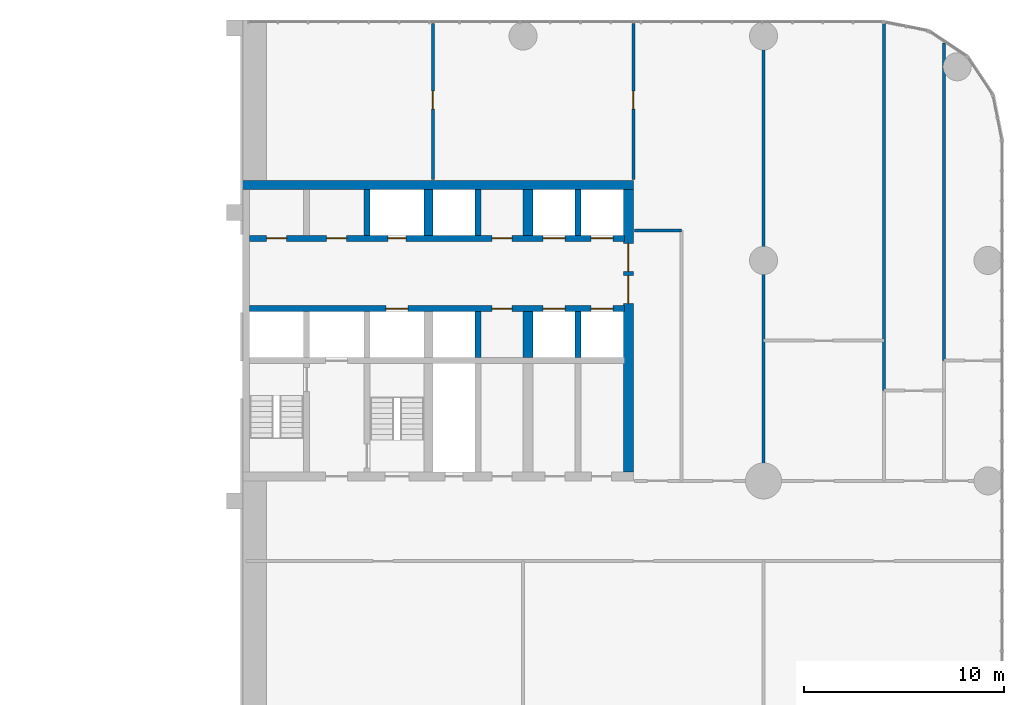
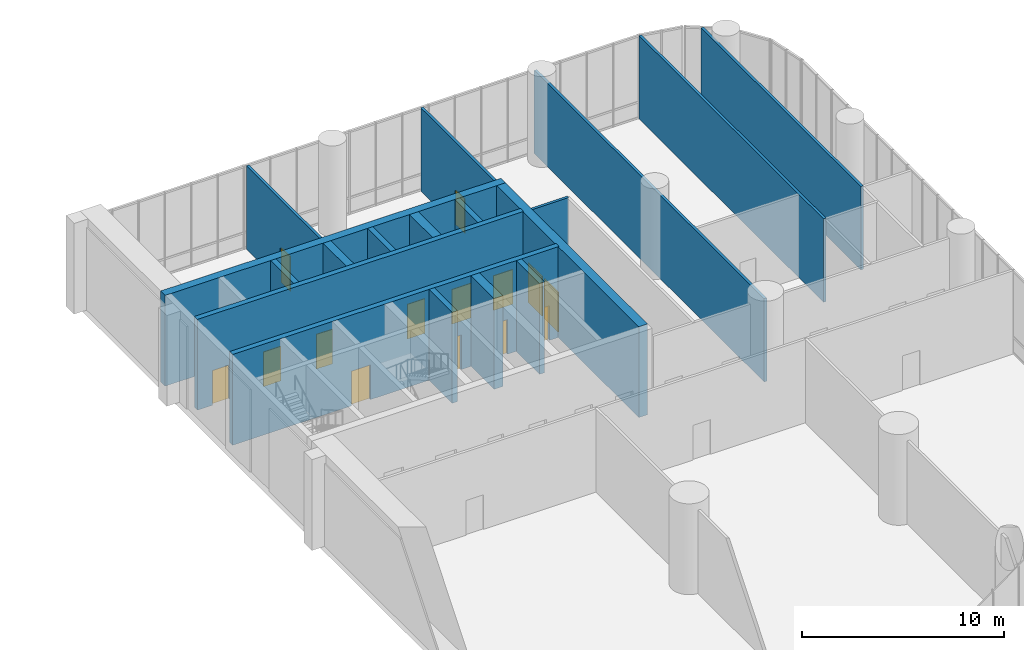
# One storey, part 25 of 28: 18 walls, 14 doors, 14 openings.
"""IFC4 building model written with IfcOpenShell, lengths in metres."""

import ifcopenshell
import ifcopenshell.guid

model = None  # the IFC model being written
_history = None  # IfcOwnerHistory: only IFC2X3 demands one
_inside = {}  # id of a spatial element -> (the spatial element, [elements in it])
_under = {}  # id of a project, library or spatial element -> (it, [spatial elements below it])
_declared = {}  # id of a project -> (the project, [libraries it declares])
_typed = {}  # id of a type object -> (the type object, [elements of that type])
_made_of = {}  # id of a material, layer set ... -> (it, [elements and type objects made of it])


def new_model(schema):
    """Start an empty IFC model of exactly this schema.

    Asked for "IFC4X3", IfcOpenShell would pick the latest addendum, in which some entities
    have other attributes; the version numbers below select the first issue.
    IFC2X3 requires an IfcOwnerHistory on every rooted entity: one is made here for all.
    """
    global model, _history
    if schema == "IFC4X3":
        model = ifcopenshell.file(schema_version=(4, 3, 0, 0))
    else:
        model = ifcopenshell.file(schema=schema)
    _inside.clear()
    _under.clear()
    _declared.clear()
    _typed.clear()
    _made_of.clear()
    _history = None
    if model.schema == "IFC2X3":
        org = make("IfcOrganization", Name="unknown")
        user = make(
            "IfcPersonAndOrganization",
            ThePerson=make("IfcPerson", FamilyName="unknown"),
            TheOrganization=org,
        )
        app = make(
            "IfcApplication",
            ApplicationDeveloper=org,
            Version="unknown",
            ApplicationFullName="unknown",
            ApplicationIdentifier="unknown",
        )
        _history = make(
            "IfcOwnerHistory",
            OwningUser=user,
            OwningApplication=app,
            ChangeAction="ADDED",
            CreationDate=0,
        )
    return model


def make(cls, **values):
    """One entity of the class cls with the attributes given. An attribute that is None is left unset."""
    return model.create_entity(
        cls, **{name: value for name, value in values.items() if value is not None}
    )


def rooted(cls, **values):
    """An entity with a GlobalId (a new one), such as an element, a storey or a relation."""
    return make(cls, GlobalId=ifcopenshell.guid.new(), OwnerHistory=_history, **values)


def si_unit(unit_type, name, prefix=None):
    """IfcSIUnit, for example si_unit("LENGTHUNIT", "METRE", prefix="MILLI")."""
    return make("IfcSIUnit", UnitType=unit_type, Prefix=prefix, Name=name)


def assignment(units):
    """IfcUnitAssignment: the units of a project."""
    return None if units is None else make("IfcUnitAssignment", Units=units)


def point(xyz):
    """IfcCartesianPoint."""
    return None if xyz is None else make("IfcCartesianPoint", Coordinates=xyz)


def direction(xyz):
    """IfcDirection."""
    return None if xyz is None else make("IfcDirection", DirectionRatios=xyz)


def frame(location, z_axis=None, x_axis=None):
    """IfcAxis2Placement3D, a coordinate frame: its origin and axes. An axis left out is left unset."""
    return make(
        "IfcAxis2Placement3D",
        Location=point(location),
        Axis=direction(z_axis),
        RefDirection=direction(x_axis),
    )


def frame_2d(location, x_axis=None):
    """IfcAxis2Placement2D, a coordinate frame in the plane: its origin and x axis."""
    return make(
        "IfcAxis2Placement2D", Location=point(location), RefDirection=direction(x_axis)
    )


def origin():
    """The frame at (0, 0, 0) with its axes left unset."""
    return frame((0.0, 0.0, 0.0))


def place(relative_to, where):
    """IfcLocalPlacement: puts the frame where relative to a parent placement (None: the world)."""
    return make(
        "IfcLocalPlacement", PlacementRelTo=relative_to, RelativePlacement=where
    )


def context(
    kind, dimensions, precision=None, world=None, true_north=None, identifier=None
):
    """IfcGeometricRepresentationContext, for example the 3D "Model" context."""
    return make(
        "IfcGeometricRepresentationContext",
        ContextIdentifier=identifier,
        ContextType=kind,
        CoordinateSpaceDimension=dimensions,
        Precision=precision,
        WorldCoordinateSystem=world,
        TrueNorth=true_north,
    )


def subcontext(parent, identifier, kind, view, scale=None):
    """IfcGeometricRepresentationSubContext, for example "Body" below "Model"."""
    return make(
        "IfcGeometricRepresentationSubContext",
        ContextIdentifier=identifier,
        ContextType=kind,
        ParentContext=parent,
        TargetScale=scale,
        TargetView=view,
    )


def project(units=None, contexts=None):
    """IfcProject with its units and contexts."""
    return rooted(
        "IfcProject",
        Name="project",
        RepresentationContexts=contexts,
        UnitsInContext=assignment(units),
    )


def spatial(cls, under=None, at=None, **own):
    """A site, building, storey or space (cls), placed at a placement, below another one or the project."""
    s = rooted(cls, ObjectPlacement=at, **own)
    if under is not None:
        _under.setdefault(under.id(), (under, []))[1].append(s)
    return s


def profile(cls, at=None, kind="AREA", **sizes):
    """A parametric profile (cls). Its sizes go by their IFC names, for example OverallWidth=200.0."""
    return make(cls, ProfileType=kind, Position=at, **sizes)


def rectangle(**sizes):
    """IfcRectangleProfileDef."""
    return profile("IfcRectangleProfileDef", **sizes)


def extrude(swept, where, along, depth):
    """IfcExtrudedAreaSolid: the profile swept, set in the frame where, extruded along a direction by depth."""
    return make(
        "IfcExtrudedAreaSolid",
        SweptArea=swept,
        Position=where,
        ExtrudedDirection=direction(along),
        Depth=depth,
    )


def shape(context_of_items, identifier, shape_type, items):
    """IfcShapeRepresentation: the items that make up one representation, for example the "Body"."""
    return make(
        "IfcShapeRepresentation",
        ContextOfItems=context_of_items,
        RepresentationIdentifier=identifier,
        RepresentationType=shape_type,
        Items=items,
    )


def material(Name=None, Category=None):
    """IfcMaterial."""
    return make("IfcMaterial", Name=Name, Category=Category)


def layer(
    of_material, thickness, ventilated=None, Name=None, Category=None, Priority=None
):
    """IfcMaterialLayer: one layer of a wall or slab, of a material (None: an air gap)."""
    return make(
        "IfcMaterialLayer",
        Material=of_material,
        LayerThickness=thickness,
        IsVentilated=ventilated,
        Name=Name,
        Category=Category,
        Priority=Priority,
    )


def layer_set(layers, Name=None):
    """IfcMaterialLayerSet."""
    return make("IfcMaterialLayerSet", MaterialLayers=layers, LayerSetName=Name)


def made_of(thing, what):
    """Note that an element or type object is made of a material, layer set ...; save() writes the relation."""
    if what is not None:
        _made_of.setdefault(what.id(), (what, []))[1].append(thing)
    return thing


def type_object(cls, material=None, **own):
    """A type object (cls), such as IfcWallType, which elements share."""
    return made_of(rooted(cls, **own), material)


def element(
    cls,
    number,
    at=None,
    inside=None,
    cuts=None,
    type_object=None,
    material=None,
    context=None,
    identifier="Body",
    shape_type=None,
    held_by="IfcProductDefinitionShape",
    body=None,
    shapes=None,
    **own,
):
    """One element of the class cls, such as IfcWall. Its Tag is "e" and its number.

    at: its placement. inside: the storey or other place that contains it. cuts: it is an
    opening in that element (IfcRelVoidsElement). A single representation is given by context,
    identifier, shape_type and body (its items); several are given by shapes. held_by: the class
    of the entity that holds the representations. save() writes the other relations.
    """
    e = rooted(cls, Tag="e%d" % number, ObjectPlacement=at, **own)
    if body is not None:
        shapes = [shape(context, identifier, shape_type, body)]
    if shapes is not None:
        e.Representation = make(held_by, Representations=shapes)
    if inside is not None:
        _inside.setdefault(inside.id(), (inside, []))[1].append(e)
    if cuts is not None:
        rooted(
            "IfcRelVoidsElement", RelatingBuildingElement=cuts, RelatedOpeningElement=e
        )
    if type_object is not None:
        _typed.setdefault(type_object.id(), (type_object, []))[1].append(e)
    return made_of(e, material)


def fill(opening, filler):
    """IfcRelFillsElement: the door or window that sits in an opening."""
    return rooted(
        "IfcRelFillsElement",
        RelatingOpeningElement=opening,
        RelatedBuildingElement=filler,
    )


def aggregate(whole, parts):
    """IfcRelAggregates: a whole, such as a stair, and the parts it consists of."""
    return rooted("IfcRelAggregates", RelatingObject=whole, RelatedObjects=parts)


def save(model, path):
    """Write the relations noted so far, then the file.

    IfcRelAggregates (storeys below a building ...), IfcRelContainedInSpatialStructure (elements
    in a storey), IfcRelDefinesByType, IfcRelAssociatesMaterial and IfcRelDeclares: one each for
    every whole, place, type object, material and project.
    """
    for whole, parts in _under.values():
        aggregate(whole, parts)
    for where, things in _inside.values():
        rooted(
            "IfcRelContainedInSpatialStructure",
            RelatedElements=things,
            RelatingStructure=where,
        )
    for kind, things in _typed.values():
        rooted("IfcRelDefinesByType", RelatedObjects=things, RelatingType=kind)
    for what, things in _made_of.values():
        rooted("IfcRelAssociatesMaterial", RelatedObjects=things, RelatingMaterial=what)
    for by, libraries in _declared.values():
        rooted("IfcRelDeclares", RelatingContext=by, RelatedDefinitions=libraries)
    model.write(path)


model = new_model("IFC4")

# Units and contexts
model_context = context("Model", 3, precision=1e-05, world=origin(), true_north=direction((0.0, 1.0)))
body_context = subcontext(model_context, "Body", "Model", "MODEL_VIEW")
ifc_project = project(units=[si_unit("LENGTHUNIT", "METRE"), si_unit("AREAUNIT", "SQUARE_METRE"), si_unit("VOLUMEUNIT", "CUBIC_METRE"), si_unit("PLANEANGLEUNIT", "RADIAN"), si_unit("MASSUNIT", "GRAM", prefix="KILO")], contexts=[model_context])

# Site, building, storey
site_placement = place(None, origin())
site = spatial("IfcSite", under=ifc_project, at=site_placement, CompositionType="ELEMENT")
building_placement = place(site_placement, origin())
building = spatial("IfcBuilding", under=site, at=building_placement, Name="Torana Hotel and Residences", CompositionType="ELEMENT")
storey_placement = place(building_placement, frame((0.0, 0.0, 7.0)))
storey = spatial("IfcBuildingStorey", under=building, at=storey_placement, Name="L01", CompositionType="ELEMENT", Elevation=7.0)

# Wall, openings, doors
ifc_material_1 = material(Name="Concrete C80/95", Category="concrete")
ifc_layer_1 = layer(ifc_material_1, 0.300048828125)
ifc_layer_set_1 = layer_set([ifc_layer_1], Name="CORE WALL 300 C80/95")
wall_type_1 = type_object("IfcWallType", Name="CORE WALL 300 C80/95", PredefinedType="SHEAR", material=ifc_layer_set_1)
wall_1_placement = place(storey_placement, frame((10.35009765625, -2.89990234375, 0.0), z_axis=(0.0, 0.0, 1.0), x_axis=(1.0, 0.0, 0.0)))
wall_1 = element("IfcWall", 1, at=wall_1_placement, inside=storey, type_object=wall_type_1, Name="Core wall E row-N", PredefinedType="SHEAR", context=body_context, shape_type="SweptSolid", body=[
    extrude(rectangle(XDim=18.699951171875, YDim=0.300048828125, at=frame_2d((9.35009765625, 0.0))), origin(), (0.0, 0.0, 1.0), 5.5),
])
opening_1_placement = place(wall_1_placement, frame((14.64990234375, 0.0, 0.0)))
opening_1 = element("IfcOpeningElement", 2, at=opening_1_placement, cuts=wall_1, Name="Opening LD", PredefinedType="OPENING", context=body_context, shape_type="SweptSolid", body=[
    extrude(rectangle(XDim=1.10009765625, YDim=2.10009765625, at=frame_2d((0.550048828125, 1.050048828125))), frame((0.0, 0.159912109375, 0.0), z_axis=(0.0, -1.0, 0.0), x_axis=(1.0, 0.0, 0.0)), (0.0, 0.0, 1.0), 0.320068359375),
])
opening_2_placement = place(wall_1_placement, frame((17.050048828125, 0.0, 0.0)))
opening_2 = element("IfcOpeningElement", 3, at=opening_2_placement, cuts=wall_1, Name="Opening LD", PredefinedType="OPENING", context=body_context, shape_type="SweptSolid", body=[
    extrude(rectangle(XDim=1.10009765625, YDim=2.10009765625, at=frame_2d((0.550048828125, 1.050048828125))), frame((0.0, 0.159912109375, 0.0), z_axis=(0.0, -1.0, 0.0), x_axis=(1.0, 0.0, 0.0)), (0.0, 0.0, 1.0), 0.320068359375),
])
opening_3_placement = place(wall_1_placement, frame((6.89990234375, 0.0, 0.0)))
opening_3 = element("IfcOpeningElement", 4, at=opening_3_placement, cuts=wall_1, Name="Opening L01-24", PredefinedType="OPENING", context=body_context, shape_type="SweptSolid", body=[
    extrude(rectangle(XDim=0.89990234375, YDim=2.10009765625, at=frame_2d((0.449951171875, 1.050048828125))), frame((0.0, 0.159912109375, 0.0), z_axis=(0.0, -1.0, 0.0), x_axis=(1.0, 0.0, 0.0)), (0.0, 0.0, 1.0), 0.320068359375),
])
opening_4_placement = place(wall_1_placement, frame((0.85009765625, 0.0, 0.0)))
opening_4 = element("IfcOpeningElement", 5, at=opening_4_placement, cuts=wall_1, Name="Opening L01-25", PredefinedType="OPENING", context=body_context, shape_type="SweptSolid", body=[
    extrude(rectangle(XDim=1.0, YDim=2.10009765625, at=frame_2d((0.5, 1.050048828125))), frame((0.0, 0.159912109375, 0.0), z_axis=(0.0, -1.0, 0.0), x_axis=(1.0, 0.0, 0.0)), (0.0, 0.0, 1.0), 0.320068359375),
])
opening_5_placement = place(wall_1_placement, frame((3.85009765625, 0.0, 0.0)))
opening_5 = element("IfcOpeningElement", 6, at=opening_5_placement, cuts=wall_1, Name="Opening L01-26", PredefinedType="OPENING", context=body_context, shape_type="SweptSolid", body=[
    extrude(rectangle(XDim=1.0, YDim=2.10009765625, at=frame_2d((0.5, 1.050048828125))), frame((0.0, 0.159912109375, 0.0), z_axis=(0.0, -1.0, 0.0), x_axis=(1.0, 0.0, 0.0)), (0.0, 0.0, 1.0), 0.320068359375),
])
opening_6_placement = place(wall_1_placement, frame((12.10009765625, 0.0, 0.0)))
opening_6 = element("IfcOpeningElement", 7, at=opening_6_placement, cuts=wall_1, Name="Opening L01-27", PredefinedType="OPENING", context=body_context, shape_type="SweptSolid", body=[
    extrude(rectangle(XDim=1.0, YDim=2.10009765625, at=frame_2d((0.5, 1.050048828125))), frame((0.0, 0.159912109375, 0.0), z_axis=(0.0, -1.0, 0.0), x_axis=(1.0, 0.0, 0.0)), (0.0, 0.0, 1.0), 0.320068359375),
])
ifc_material_2 = material(Name="Steel S235", Category="steel")
door_type_1 = type_object("IfcDoorType", Name="CORE ROOM FIRE DOOR D14 1000x2100", OperationType="SINGLE_SWING_LEFT", PredefinedType="DOOR", material=ifc_material_2)
door_1_placement = place(opening_4_placement, origin())
door_1 = element("IfcDoor", 8, at=door_1_placement, inside=storey, type_object=door_type_1, Name="N0 door L01", OperationType="SINGLE_SWING_RIGHT", OverallHeight=2.10009765625, OverallWidth=1.0, PredefinedType="DOOR", context=body_context, shape_type="SweptSolid", body=[
    extrude(rectangle(XDim=1.0, YDim=2.10009765625, at=frame_2d((0.5, 1.050048828125))), frame((0.0, 0.02490234375, 0.0), z_axis=(0.0, -1.0, 0.0), x_axis=(1.0, 0.0, 0.0)), (0.0, 0.0, 1.0), 0.050048828125),
])
fill(opening_4, door_1)
door_2_placement = place(opening_5_placement, origin())
door_2 = element("IfcDoor", 9, at=door_2_placement, inside=storey, type_object=door_type_1, Name="N1 door L01", OperationType="SINGLE_SWING_RIGHT", OverallHeight=2.10009765625, OverallWidth=1.0, PredefinedType="DOOR", context=body_context, shape_type="SweptSolid", body=[
    extrude(rectangle(XDim=1.0, YDim=2.10009765625, at=frame_2d((0.5, 1.050048828125))), frame((0.0, 0.02490234375, 0.0), z_axis=(0.0, -1.0, 0.0), x_axis=(1.0, 0.0, 0.0)), (0.0, 0.0, 1.0), 0.050048828125),
])
fill(opening_5, door_2)
door_3_placement = place(opening_6_placement, origin())
door_3 = element("IfcDoor", 10, at=door_3_placement, inside=storey, type_object=door_type_1, Name="Free-M3 door L01", OperationType="SINGLE_SWING_RIGHT", OverallHeight=2.10009765625, OverallWidth=1.0, PredefinedType="DOOR", context=body_context, shape_type="SweptSolid", body=[
    extrude(rectangle(XDim=1.0, YDim=2.10009765625, at=frame_2d((0.5, 1.050048828125))), frame((0.0, 0.02490234375, 0.0), z_axis=(0.0, -1.0, 0.0), x_axis=(1.0, 0.0, 0.0)), (0.0, 0.0, 1.0), 0.050048828125),
])
fill(opening_6, door_3)
ifc_material_3 = material(Name="Stainless steel 316", Category="steel")
door_type_2 = type_object("IfcDoorType", Name="LIFT LANDING DOOR LD 1100x2100", OperationType="DOUBLE_DOOR_SLIDING", PredefinedType="USERDEFINED", material=ifc_material_3)
door_4_placement = place(opening_1_placement, origin())
door_4 = element("IfcDoor", 11, at=door_4_placement, inside=storey, type_object=door_type_2, Name="Lift landing door L5 L01", ObjectType="LIFT LANDING DOOR", OperationType="DOUBLE_DOOR_SLIDING", OverallHeight=2.10009765625, OverallWidth=1.10009765625, PredefinedType="USERDEFINED", context=body_context, shape_type="SweptSolid", body=[
    extrude(rectangle(XDim=1.10009765625, YDim=2.10009765625, at=frame_2d((0.550048828125, 1.050048828125))), frame((0.0, 0.02490234375, 0.0), z_axis=(0.0, -1.0, 0.0), x_axis=(1.0, 0.0, 0.0)), (0.0, 0.0, 1.0), 0.050048828125),
])
fill(opening_1, door_4)
door_5_placement = place(opening_2_placement, origin())
door_5 = element("IfcDoor", 12, at=door_5_placement, inside=storey, type_object=door_type_2, Name="Lift landing door L6 L01", ObjectType="LIFT LANDING DOOR", OperationType="DOUBLE_DOOR_SLIDING", OverallHeight=2.10009765625, OverallWidth=1.10009765625, PredefinedType="USERDEFINED", context=body_context, shape_type="SweptSolid", body=[
    extrude(rectangle(XDim=1.10009765625, YDim=2.10009765625, at=frame_2d((0.550048828125, 1.050048828125))), frame((0.0, 0.02490234375, 0.0), z_axis=(0.0, -1.0, 0.0), x_axis=(1.0, 0.0, 0.0)), (0.0, 0.0, 1.0), 0.050048828125),
])
fill(opening_2, door_5)
ifc_material_4 = material(Name="Steel S235", Category="steel")
door_type_3 = type_object("IfcDoorType", Name="RISER ACCESS DOOR D5 900x2100", OperationType="SINGLE_SWING_LEFT", PredefinedType="DOOR", material=ifc_material_4)
door_6_placement = place(opening_3_placement, origin())
door_6 = element("IfcDoor", 13, at=door_6_placement, inside=storey, type_object=door_type_3, Name="N2 door L01", OperationType="SINGLE_SWING_RIGHT", OverallHeight=2.10009765625, OverallWidth=0.89990234375, PredefinedType="DOOR", context=body_context, shape_type="SweptSolid", body=[
    extrude(rectangle(XDim=0.89990234375, YDim=2.10009765625, at=frame_2d((0.449951171875, 1.050048828125))), frame((0.0, 0.02490234375, 0.0), z_axis=(0.0, -1.0, 0.0), x_axis=(1.0, 0.0, 0.0)), (0.0, 0.0, 1.0), 0.050048828125),
])
fill(opening_3, door_6)

wall_2_placement = place(storey_placement, frame((10.35009765625, -6.39990234375, 0.0), z_axis=(0.0, 0.0, 1.0), x_axis=(1.0, 0.0, 0.0)))
wall_2 = element("IfcWall", 14, at=wall_2_placement, inside=storey, type_object=wall_type_1, Name="Core wall E row-S", PredefinedType="SHEAR", context=body_context, shape_type="SweptSolid", body=[
    extrude(rectangle(XDim=18.699951171875, YDim=0.300048828125, at=frame_2d((9.35009765625, 0.0))), origin(), (0.0, 0.0, 1.0), 5.5),
])
opening_7_placement = place(wall_2_placement, frame((14.64990234375, 0.0, 0.0)))
opening_7 = element("IfcOpeningElement", 15, at=opening_7_placement, cuts=wall_2, Name="Opening LD", PredefinedType="OPENING", context=body_context, shape_type="SweptSolid", body=[
    extrude(rectangle(XDim=1.10009765625, YDim=2.10009765625, at=frame_2d((0.550048828125, 1.050048828125))), frame((0.0, 0.159912109375, 0.0), z_axis=(0.0, -1.0, 0.0), x_axis=(1.0, 0.0, 0.0)), (0.0, 0.0, 1.0), 0.320068359375),
])
opening_8_placement = place(wall_2_placement, frame((17.050048828125, 0.0, 0.0)))
opening_8 = element("IfcOpeningElement", 16, at=opening_8_placement, cuts=wall_2, Name="Opening LD", PredefinedType="OPENING", context=body_context, shape_type="SweptSolid", body=[
    extrude(rectangle(XDim=1.10009765625, YDim=2.10009765625, at=frame_2d((0.550048828125, 1.050048828125))), frame((0.0, 0.159912109375, 0.0), z_axis=(0.0, -1.0, 0.0), x_axis=(1.0, 0.0, 0.0)), (0.0, 0.0, 1.0), 0.320068359375),
])
opening_9_placement = place(wall_2_placement, frame((6.800048828125, 0.0, 0.0)))
opening_9 = element("IfcOpeningElement", 17, at=opening_9_placement, cuts=wall_2, Name="Opening LD", PredefinedType="OPENING", context=body_context, shape_type="SweptSolid", body=[
    extrude(rectangle(XDim=1.10009765625, YDim=2.10009765625, at=frame_2d((0.550048828125, 1.050048828125))), frame((0.0, 0.159912109375, 0.0), z_axis=(0.0, -1.0, 0.0), x_axis=(1.0, 0.0, 0.0)), (0.0, 0.0, 1.0), 0.320068359375),
])
opening_10_placement = place(wall_2_placement, frame((12.10009765625, 0.0, 0.0)))
opening_10 = element("IfcOpeningElement", 18, at=opening_10_placement, cuts=wall_2, Name="Opening L01-28", PredefinedType="OPENING", context=body_context, shape_type="SweptSolid", body=[
    extrude(rectangle(XDim=1.0, YDim=2.10009765625, at=frame_2d((0.5, 1.050048828125))), frame((0.0, 0.159912109375, 0.0), z_axis=(0.0, -1.0, 0.0), x_axis=(1.0, 0.0, 0.0)), (0.0, 0.0, 1.0), 0.320068359375),
])
door_7_placement = place(opening_10_placement, frame((0.5, 0.0, 0.0), z_axis=(0.0, 0.0, 1.0), x_axis=(-1.0, 0.0, 0.0)))
door_7 = element("IfcDoor", 19, at=door_7_placement, inside=storey, type_object=door_type_1, Name="Free-M4 door L01", OperationType="SINGLE_SWING_LEFT", OverallHeight=2.10009765625, OverallWidth=1.0, PredefinedType="DOOR", context=body_context, shape_type="SweptSolid", body=[
    extrude(rectangle(XDim=1.0, YDim=2.10009765625, at=frame_2d((0.0, 1.050048828125))), frame((0.0, -0.02490234375, 0.0), z_axis=(0.0, 1.0, 0.0), x_axis=(-1.0, 0.0, 0.0)), (0.0, 0.0, 1.0), 0.050048828125),
])
fill(opening_10, door_7)
door_8_placement = place(opening_7_placement, origin())
door_8 = element("IfcDoor", 20, at=door_8_placement, inside=storey, type_object=door_type_2, Name="Lift landing door L7 L01", ObjectType="LIFT LANDING DOOR", OperationType="DOUBLE_DOOR_SLIDING", OverallHeight=2.10009765625, OverallWidth=1.10009765625, PredefinedType="USERDEFINED", context=body_context, shape_type="SweptSolid", body=[
    extrude(rectangle(XDim=1.10009765625, YDim=2.10009765625, at=frame_2d((0.550048828125, 1.050048828125))), frame((0.0, 0.02490234375, 0.0), z_axis=(0.0, -1.0, 0.0), x_axis=(1.0, 0.0, 0.0)), (0.0, 0.0, 1.0), 0.050048828125),
])
fill(opening_7, door_8)
door_9_placement = place(opening_8_placement, origin())
door_9 = element("IfcDoor", 21, at=door_9_placement, inside=storey, type_object=door_type_2, Name="Lift landing door L8 L01", ObjectType="LIFT LANDING DOOR", OperationType="DOUBLE_DOOR_SLIDING", OverallHeight=2.10009765625, OverallWidth=1.10009765625, PredefinedType="USERDEFINED", context=body_context, shape_type="SweptSolid", body=[
    extrude(rectangle(XDim=1.10009765625, YDim=2.10009765625, at=frame_2d((0.550048828125, 1.050048828125))), frame((0.0, 0.02490234375, 0.0), z_axis=(0.0, -1.0, 0.0), x_axis=(1.0, 0.0, 0.0)), (0.0, 0.0, 1.0), 0.050048828125),
])
fill(opening_8, door_9)
door_10_placement = place(opening_9_placement, origin())
door_10 = element("IfcDoor", 22, at=door_10_placement, inside=storey, type_object=door_type_2, Name="Lift landing door SV2 L01", ObjectType="LIFT LANDING DOOR", OperationType="DOUBLE_DOOR_SLIDING", OverallHeight=2.10009765625, OverallWidth=1.10009765625, PredefinedType="USERDEFINED", context=body_context, shape_type="SweptSolid", body=[
    extrude(rectangle(XDim=1.10009765625, YDim=2.10009765625, at=frame_2d((0.550048828125, 1.050048828125))), frame((0.0, 0.02490234375, 0.0), z_axis=(0.0, -1.0, 0.0), x_axis=(1.0, 0.0, 0.0)), (0.0, 0.0, 1.0), 0.050048828125),
])
fill(opening_9, door_10)

# Walls
for number, where, z_axis, x_axis, name in (
    (23, (16.199951171875, -2.75, 0.0), (0.0, 0.0, 1.0), (0.0, 1.0, 0.0), "Core wall E x6.05-N"),
    (24, (21.75, -2.75, 0.0), (0.0, 0.0, 1.0), (0.0, 1.0, 0.0), "Core wall E mm-N"),
    (25, (21.75, -8.85009765625, 0.0), (0.0, 0.0, 1.0), (0.0, 1.0, 0.0), "Core wall E mm-S"),
    (26, (26.75, -2.75, 0.0), (0.0, 0.0, 1.0), (0.0, 1.0, 0.0), "Core wall E ll-N"),
    (27, (26.75, -8.85009765625, 0.0), (0.0, 0.0, 1.0), (0.0, 1.0, 0.0), "Core wall E ll-S"),
):
    element("IfcWall", number, at=place(storey_placement, frame(where, z_axis=z_axis, x_axis=x_axis)), inside=storey, type_object=wall_type_1, Name=name, PredefinedType="SHEAR", context=body_context, shape_type="SweptSolid", body=[
        extrude(rectangle(XDim=2.300048828125, YDim=0.300048828125, at=frame_2d((1.14990234375, 0.0))), origin(), (0.0, 0.0, 1.0), 5.5),
    ])
ifc_material_5 = material(Name="Concrete C80/95", Category="concrete")
ifc_layer_2 = layer(ifc_material_5, 0.449951171875)
ifc_layer_set_2 = layer_set([ifc_layer_2], Name="CORE WALL 450 C80/95")
wall_type_2 = type_object("IfcWallType", Name="CORE WALL 450 C80/95", PredefinedType="SHEAR", material=ifc_layer_set_2)
wall_3_placement = place(storey_placement, frame((10.0, -0.22509765625, 0.0), z_axis=(0.0, 0.0, 1.0), x_axis=(1.0, 0.0, 0.0)))
element("IfcWall", 28, at=wall_3_placement, inside=storey, type_object=wall_type_2, Name="Core wall E rear", PredefinedType="SHEAR", context=body_context, shape_type="SweptSolid", body=[
    extrude(rectangle(XDim=19.5, YDim=0.449951171875, at=frame_2d((9.75, 0.0))), origin(), (0.0, 0.0, 1.0), 5.5),
])
wall_4_placement = place(storey_placement, frame((19.27490234375, -2.75, 0.0), z_axis=(0.0, 0.0, 1.0), x_axis=(0.0, 1.0, 0.0)))
element("IfcWall", 29, at=wall_4_placement, inside=storey, type_object=wall_type_2, Name="Core wall E hm-N", PredefinedType="SHEAR", context=body_context, shape_type="SweptSolid", body=[
    extrude(rectangle(XDim=2.300048828125, YDim=0.449951171875, at=frame_2d((1.14990234375, 0.0))), origin(), (0.0, 0.0, 1.0), 5.5),
])

# Wall, openings, doors
ifc_material_6 = material(Name="Concrete C80/95", Category="concrete")
ifc_layer_3 = layer(ifc_material_6, 0.5)
ifc_layer_set_3 = layer_set([ifc_layer_3], Name="CORE WALL 500 C80/95")
wall_type_3 = type_object("IfcWallType", Name="CORE WALL 500 C80/95", PredefinedType="SHEAR", material=ifc_layer_set_3)
wall_5_placement = place(storey_placement, frame((29.25, -14.550048828125, 0.0), z_axis=(0.0, 0.0, 1.0), x_axis=(0.0, 1.0, 0.0)))
wall_5 = element("IfcWall", 30, at=wall_5_placement, inside=storey, type_object=wall_type_3, Name="Core wall E outer", PredefinedType="SHEAR", context=body_context, shape_type="SweptSolid", body=[
    extrude(rectangle(XDim=14.10009765625, YDim=0.5, at=frame_2d((7.050048828125, 0.0))), origin(), (0.0, 0.0, 1.0), 5.5),
])
opening_11_placement = place(wall_5_placement, frame((8.39990234375, 0.0, 0.0)))
opening_11 = element("IfcOpeningElement", 31, at=opening_11_placement, cuts=wall_5, Name="Opening L01-16", PredefinedType="OPENING", context=body_context, shape_type="SweptSolid", body=[
    extrude(rectangle(XDim=1.39990234375, YDim=2.39990234375, at=frame_2d((0.699951171875, 1.199951171875))), frame((0.0, 0.260009765625, 0.0), z_axis=(0.0, -1.0, 0.0), x_axis=(1.0, 0.0, 0.0)), (0.0, 0.0, 1.0), 0.52001953125),
])
opening_12_placement = place(wall_5_placement, frame((10.0, 0.0, 0.0)))
opening_12 = element("IfcOpeningElement", 32, at=opening_12_placement, cuts=wall_5, Name="Opening L01-17", PredefinedType="OPENING", context=body_context, shape_type="SweptSolid", body=[
    extrude(rectangle(XDim=1.39990234375, YDim=2.39990234375, at=frame_2d((0.699951171875, 1.199951171875))), frame((0.0, 0.260009765625, 0.0), z_axis=(0.0, -1.0, 0.0), x_axis=(1.0, 0.0, 0.0)), (0.0, 0.0, 1.0), 0.52001953125),
])
ifc_material_7 = material(Name="Steel S235", Category="steel")
door_type_4 = type_object("IfcDoorType", Name="LOBBY FIRE DOOR D4 1400x2400", OperationType="DOUBLE_DOOR_SINGLE_SWING", PredefinedType="DOOR", material=ifc_material_7)
door_11_placement = place(opening_11_placement, origin())
door_11 = element("IfcDoor", 33, at=door_11_placement, inside=storey, type_object=door_type_4, Name="Lobby-1 door L01", OperationType="DOUBLE_DOOR_SINGLE_SWING", OverallHeight=2.39990234375, OverallWidth=1.39990234375, PredefinedType="DOOR", context=body_context, shape_type="SweptSolid", body=[
    extrude(rectangle(XDim=1.39990234375, YDim=2.39990234375, at=frame_2d((0.699951171875, 1.199951171875))), frame((0.0, 0.02490234375, 0.0), z_axis=(0.0, -1.0, 0.0), x_axis=(1.0, 0.0, 0.0)), (0.0, 0.0, 1.0), 0.050048828125),
])
fill(opening_11, door_11)
door_12_placement = place(opening_12_placement, origin())
door_12 = element("IfcDoor", 34, at=door_12_placement, inside=storey, type_object=door_type_4, Name="Lobby-2 door L01", OperationType="DOUBLE_DOOR_SINGLE_SWING", OverallHeight=2.39990234375, OverallWidth=1.39990234375, PredefinedType="DOOR", context=body_context, shape_type="SweptSolid", body=[
    extrude(rectangle(XDim=1.39990234375, YDim=2.39990234375, at=frame_2d((0.699951171875, 1.199951171875))), frame((0.0, 0.02490234375, 0.0), z_axis=(0.0, -1.0, 0.0), x_axis=(1.0, 0.0, 0.0)), (0.0, 0.0, 1.0), 0.050048828125),
])
fill(opening_12, door_12)

# Walls
for number, where, z_axis, x_axis, name in (
    (35, (24.25, -2.75, 0.0), (0.0, 0.0, 1.0), (0.0, 1.0, 0.0), "Core wall E ml-N"),
    (36, (24.25, -8.85009765625, 0.0), (0.0, 0.0, 1.0), (0.0, 1.0, 0.0), "Core wall E ml-S"),
):
    element("IfcWall", number, at=place(storey_placement, frame(where, z_axis=z_axis, x_axis=x_axis)), inside=storey, type_object=wall_type_3, Name=name, PredefinedType="SHEAR", context=body_context, shape_type="SweptSolid", body=[
        extrude(rectangle(XDim=2.300048828125, YDim=0.5, at=frame_2d((1.14990234375, 0.0))), origin(), (0.0, 0.0, 1.0), 5.5),
    ])
ifc_material_8 = material(Name="Gypsum plaster")
ifc_layer_4 = layer(ifc_material_8, 0.014892578125, Name="Plaster", Category="finish")
ifc_material_9 = material(Name="Concrete blockwork", Category="masonry")
ifc_layer_5 = layer(ifc_material_9, 0.1201171875, Name="Blockwork", Category="structure")
ifc_layer_6 = layer(ifc_material_8, 0.014892578125, Name="Plaster", Category="finish")
ifc_layer_set_4 = layer_set([ifc_layer_4, ifc_layer_5, ifc_layer_6], Name="FIRE PARTITION 150 BLOCKWORK")
wall_type_4 = type_object("IfcWallType", Name="FIRE PARTITION 150 BLOCKWORK", PredefinedType="PARTITIONING", material=ifc_layer_set_4)
wall_6_placement = place(storey_placement, frame((29.550048828125, -2.5, 0.0), z_axis=(0.0, 0.0, 1.0), x_axis=(1.0, 0.0, 0.0)))
element("IfcWall", 37, at=wall_6_placement, inside=storey, type_object=wall_type_4, Name="Partition L01", PredefinedType="PARTITIONING", context=body_context, shape_type="SweptSolid", body=[
    extrude(rectangle(XDim=2.349853515625, YDim=0.14990234375, at=frame_2d((1.1748046875, 0.0))), origin(), (0.0, 0.0, 1.0), 5.050048828125),
])
ifc_material_10 = material(Name="Gypsum plasterboard")
ifc_layer_7 = layer(ifc_material_10, 0.012451171875, Name="Plasterboard", Category="finish")
ifc_layer_8 = layer(ifc_material_10, 0.012451171875, Name="Plasterboard", Category="finish")
ifc_material_11 = material(Name="Steel S280GD", Category="steel")
ifc_layer_9 = layer(ifc_material_11, 0.10009765625, Name="Steel studs with mineral wool", Category="insulation")
ifc_layer_10 = layer(ifc_material_10, 0.012451171875, Name="Plasterboard", Category="finish")
ifc_layer_11 = layer(ifc_material_10, 0.012451171875, Name="Plasterboard", Category="finish")
ifc_layer_set_5 = layer_set([ifc_layer_7, ifc_layer_8, ifc_layer_9, ifc_layer_10, ifc_layer_11], Name="PARTITION 150 PLASTERBOARD")
wall_type_5 = type_object("IfcWallType", Name="PARTITION 150 PLASTERBOARD", PredefinedType="PARTITIONING", material=ifc_layer_set_5)
wall_7_placement = place(storey_placement, frame((45.0, -9.0, 0.0), z_axis=(0.0, 0.0, 1.0), x_axis=(0.0, 1.0, 0.0)))
element("IfcWall", 38, at=wall_7_placement, inside=storey, type_object=wall_type_5, Name="Partition L01", PredefinedType="PARTITIONING", context=body_context, shape_type="SweptSolid", body=[
    extrude(rectangle(XDim=15.8564453125, YDim=0.14990234375, at=frame_2d((7.92822265625, 0.0))), origin(), (0.0, 0.0, 1.0), 5.050048828125),
])
wall_8_placement = place(storey_placement, frame((42.0, -10.5, 0.0), z_axis=(0.0, 0.0, 1.0), x_axis=(0.0, 1.0, 0.0)))
element("IfcWall", 39, at=wall_8_placement, inside=storey, type_object=wall_type_5, Name="Partition L01", PredefinedType="PARTITIONING", context=body_context, shape_type="SweptSolid", body=[
    extrude(rectangle(XDim=18.31640625, YDim=0.14990234375, at=frame_2d((9.158203125, 0.0))), origin(), (0.0, 0.0, 1.0), 5.050048828125),
])
wall_9_placement = place(storey_placement, frame((36.0, -15.0, 0.0), z_axis=(0.0, 0.0, 1.0), x_axis=(0.0, 1.0, 0.0)))
element("IfcWall", 40, at=wall_9_placement, inside=storey, type_object=wall_type_5, Name="Partition L01", PredefinedType="PARTITIONING", context=body_context, shape_type="SweptSolid", body=[
    extrude(rectangle(XDim=22.820068359375, YDim=0.14990234375, at=frame_2d((11.41015625, 0.0))), origin(), (0.0, 0.0, 1.0), 5.050048828125),
])

# Wall, opening, door
wall_10_placement = place(storey_placement, frame((29.5, 0.050048828125, 0.0), z_axis=(0.0, 0.0, 1.0), x_axis=(0.0, 1.0, 0.0)))
wall_10 = element("IfcWall", 41, at=wall_10_placement, inside=storey, type_object=wall_type_5, Name="Partition L01", PredefinedType="PARTITIONING", context=body_context, shape_type="SweptSolid", body=[
    extrude(rectangle(XDim=7.77001953125, YDim=0.14990234375, at=frame_2d((3.885009765625, 0.0))), origin(), (0.0, 0.0, 1.0), 5.050048828125),
])
opening_13_placement = place(wall_10_placement, frame((3.5, 0.0, 0.0)))
opening_13 = element("IfcOpeningElement", 42, at=opening_13_placement, cuts=wall_10, Name="Opening L01-42", PredefinedType="OPENING", context=body_context, shape_type="SweptSolid", body=[
    extrude(rectangle(XDim=0.89990234375, YDim=2.10009765625, at=frame_2d((0.449951171875, 1.050048828125))), frame((0.0, 0.0849609375, 0.0), z_axis=(0.0, -1.0, 0.0), x_axis=(1.0, 0.0, 0.0)), (0.0, 0.0, 1.0), 0.169921875),
])
ifc_material_12 = material(Name="Timber door, oiled ash", Category="wood")
door_type_5 = type_object("IfcDoorType", Name="ROOM DOOR D7 900x2100", OperationType="SINGLE_SWING_LEFT", PredefinedType="DOOR", material=ifc_material_12)
door_13_placement = place(opening_13_placement, origin())
door_13 = element("IfcDoor", 43, at=door_13_placement, inside=storey, type_object=door_type_5, Name="Door L01", OperationType="SINGLE_SWING_RIGHT", OverallHeight=2.10009765625, OverallWidth=0.89990234375, PredefinedType="DOOR", context=body_context, shape_type="SweptSolid", body=[
    extrude(rectangle(XDim=0.89990234375, YDim=2.10009765625, at=frame_2d((0.449951171875, 1.050048828125))), frame((0.0, 0.02490234375, 0.0), z_axis=(0.0, -1.0, 0.0), x_axis=(1.0, 0.0, 0.0)), (0.0, 0.0, 1.0), 0.050048828125),
])
fill(opening_13, door_13)

wall_11_placement = place(storey_placement, frame((19.5, 0.050048828125, 0.0), z_axis=(0.0, 0.0, 1.0), x_axis=(0.0, 1.0, 0.0)))
wall_11 = element("IfcWall", 44, at=wall_11_placement, inside=storey, type_object=wall_type_5, Name="Partition L01", PredefinedType="PARTITIONING", context=body_context, shape_type="SweptSolid", body=[
    extrude(rectangle(XDim=7.77001953125, YDim=0.14990234375, at=frame_2d((3.885009765625, 0.0))), origin(), (0.0, 0.0, 1.0), 5.050048828125),
])
opening_14_placement = place(wall_11_placement, frame((3.5, 0.0, 0.0)))
opening_14 = element("IfcOpeningElement", 45, at=opening_14_placement, cuts=wall_11, Name="Opening L01-43", PredefinedType="OPENING", context=body_context, shape_type="SweptSolid", body=[
    extrude(rectangle(XDim=0.89990234375, YDim=2.10009765625, at=frame_2d((0.449951171875, 1.050048828125))), frame((0.0, 0.0849609375, 0.0), z_axis=(0.0, -1.0, 0.0), x_axis=(1.0, 0.0, 0.0)), (0.0, 0.0, 1.0), 0.169921875),
])
door_14_placement = place(opening_14_placement, origin())
door_14 = element("IfcDoor", 46, at=door_14_placement, inside=storey, type_object=door_type_5, Name="Door L01", OperationType="SINGLE_SWING_RIGHT", OverallHeight=2.10009765625, OverallWidth=0.89990234375, PredefinedType="DOOR", context=body_context, shape_type="SweptSolid", body=[
    extrude(rectangle(XDim=0.89990234375, YDim=2.10009765625, at=frame_2d((0.449951171875, 1.050048828125))), frame((0.0, 0.02490234375, 0.0), z_axis=(0.0, -1.0, 0.0), x_axis=(1.0, 0.0, 0.0)), (0.0, 0.0, 1.0), 0.050048828125),
])
fill(opening_14, door_14)

save(model, "model.ifc")
